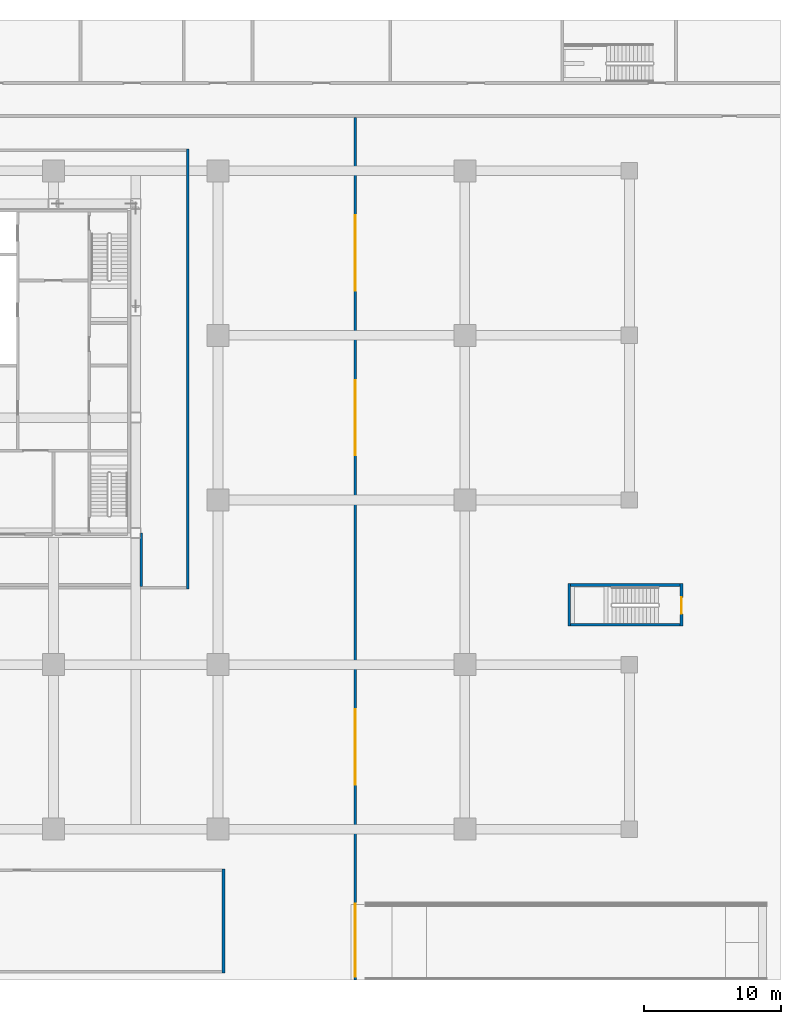
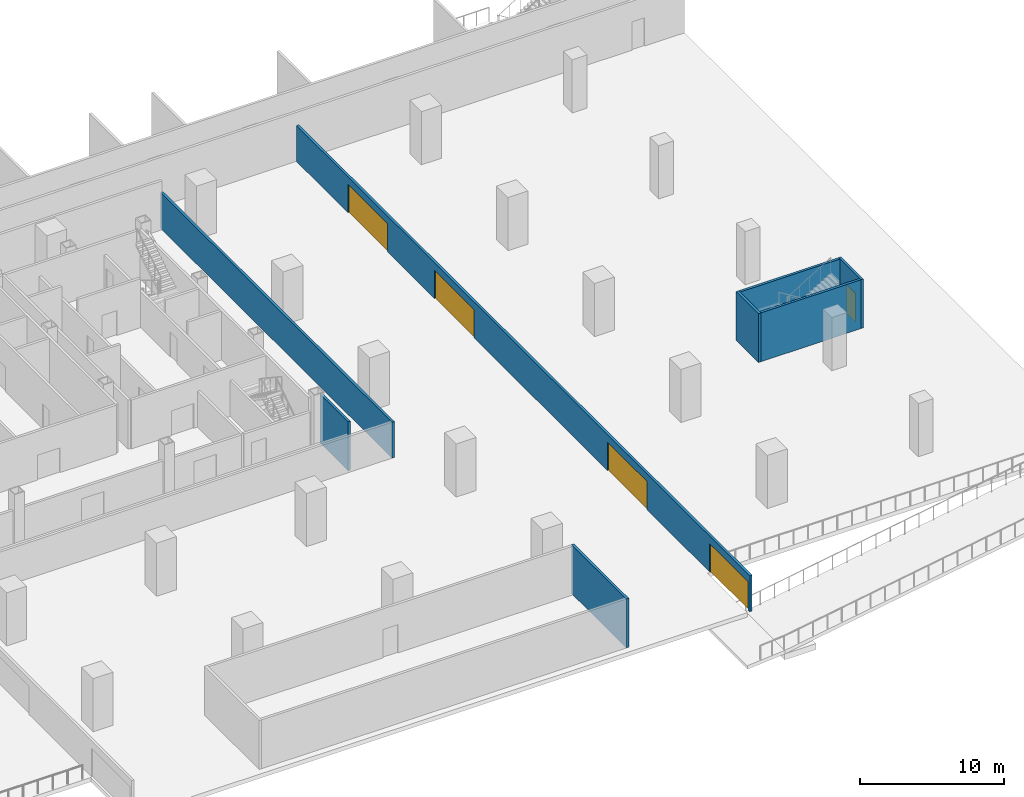
# One storey, part 7 of 15: 8 walls, 5 doors, 5 openings.
"""IFC4 building model written with IfcOpenShell, lengths in metres."""

import ifcopenshell
import ifcopenshell.guid

model = None  # the IFC model being written
_history = None  # IfcOwnerHistory: only IFC2X3 demands one
_inside = {}  # id of a spatial element -> (the spatial element, [elements in it])
_under = {}  # id of a project, library or spatial element -> (it, [spatial elements below it])
_declared = {}  # id of a project -> (the project, [libraries it declares])
_typed = {}  # id of a type object -> (the type object, [elements of that type])
_made_of = {}  # id of a material, layer set ... -> (it, [elements and type objects made of it])


def new_model(schema):
    """Start an empty IFC model of exactly this schema.

    Asked for "IFC4X3", IfcOpenShell would pick the latest addendum, in which some entities
    have other attributes; the version numbers below select the first issue.
    IFC2X3 requires an IfcOwnerHistory on every rooted entity: one is made here for all.
    """
    global model, _history
    if schema == "IFC4X3":
        model = ifcopenshell.file(schema_version=(4, 3, 0, 0))
    else:
        model = ifcopenshell.file(schema=schema)
    _inside.clear()
    _under.clear()
    _declared.clear()
    _typed.clear()
    _made_of.clear()
    _history = None
    if model.schema == "IFC2X3":
        org = make("IfcOrganization", Name="unknown")
        user = make(
            "IfcPersonAndOrganization",
            ThePerson=make("IfcPerson", FamilyName="unknown"),
            TheOrganization=org,
        )
        app = make(
            "IfcApplication",
            ApplicationDeveloper=org,
            Version="unknown",
            ApplicationFullName="unknown",
            ApplicationIdentifier="unknown",
        )
        _history = make(
            "IfcOwnerHistory",
            OwningUser=user,
            OwningApplication=app,
            ChangeAction="ADDED",
            CreationDate=0,
        )
    return model


def make(cls, **values):
    """One entity of the class cls with the attributes given. An attribute that is None is left unset."""
    return model.create_entity(
        cls, **{name: value for name, value in values.items() if value is not None}
    )


def rooted(cls, **values):
    """An entity with a GlobalId (a new one), such as an element, a storey or a relation."""
    return make(cls, GlobalId=ifcopenshell.guid.new(), OwnerHistory=_history, **values)


def si_unit(unit_type, name, prefix=None):
    """IfcSIUnit, for example si_unit("LENGTHUNIT", "METRE", prefix="MILLI")."""
    return make("IfcSIUnit", UnitType=unit_type, Prefix=prefix, Name=name)


def assignment(units):
    """IfcUnitAssignment: the units of a project."""
    return None if units is None else make("IfcUnitAssignment", Units=units)


def point(xyz):
    """IfcCartesianPoint."""
    return None if xyz is None else make("IfcCartesianPoint", Coordinates=xyz)


def direction(xyz):
    """IfcDirection."""
    return None if xyz is None else make("IfcDirection", DirectionRatios=xyz)


def frame(location, z_axis=None, x_axis=None):
    """IfcAxis2Placement3D, a coordinate frame: its origin and axes. An axis left out is left unset."""
    return make(
        "IfcAxis2Placement3D",
        Location=point(location),
        Axis=direction(z_axis),
        RefDirection=direction(x_axis),
    )


def frame_2d(location, x_axis=None):
    """IfcAxis2Placement2D, a coordinate frame in the plane: its origin and x axis."""
    return make(
        "IfcAxis2Placement2D", Location=point(location), RefDirection=direction(x_axis)
    )


def origin():
    """The frame at (0, 0, 0) with its axes left unset."""
    return frame((0.0, 0.0, 0.0))


def place(relative_to, where):
    """IfcLocalPlacement: puts the frame where relative to a parent placement (None: the world)."""
    return make(
        "IfcLocalPlacement", PlacementRelTo=relative_to, RelativePlacement=where
    )


def context(
    kind, dimensions, precision=None, world=None, true_north=None, identifier=None
):
    """IfcGeometricRepresentationContext, for example the 3D "Model" context."""
    return make(
        "IfcGeometricRepresentationContext",
        ContextIdentifier=identifier,
        ContextType=kind,
        CoordinateSpaceDimension=dimensions,
        Precision=precision,
        WorldCoordinateSystem=world,
        TrueNorth=true_north,
    )


def subcontext(parent, identifier, kind, view, scale=None):
    """IfcGeometricRepresentationSubContext, for example "Body" below "Model"."""
    return make(
        "IfcGeometricRepresentationSubContext",
        ContextIdentifier=identifier,
        ContextType=kind,
        ParentContext=parent,
        TargetScale=scale,
        TargetView=view,
    )


def project(units=None, contexts=None):
    """IfcProject with its units and contexts."""
    return rooted(
        "IfcProject",
        Name="project",
        RepresentationContexts=contexts,
        UnitsInContext=assignment(units),
    )


def spatial(cls, under=None, at=None, **own):
    """A site, building, storey or space (cls), placed at a placement, below another one or the project."""
    s = rooted(cls, ObjectPlacement=at, **own)
    if under is not None:
        _under.setdefault(under.id(), (under, []))[1].append(s)
    return s


def profile(cls, at=None, kind="AREA", **sizes):
    """A parametric profile (cls). Its sizes go by their IFC names, for example OverallWidth=200.0."""
    return make(cls, ProfileType=kind, Position=at, **sizes)


def rectangle(**sizes):
    """IfcRectangleProfileDef."""
    return profile("IfcRectangleProfileDef", **sizes)


def extrude(swept, where, along, depth):
    """IfcExtrudedAreaSolid: the profile swept, set in the frame where, extruded along a direction by depth."""
    return make(
        "IfcExtrudedAreaSolid",
        SweptArea=swept,
        Position=where,
        ExtrudedDirection=direction(along),
        Depth=depth,
    )


def shape(context_of_items, identifier, shape_type, items):
    """IfcShapeRepresentation: the items that make up one representation, for example the "Body"."""
    return make(
        "IfcShapeRepresentation",
        ContextOfItems=context_of_items,
        RepresentationIdentifier=identifier,
        RepresentationType=shape_type,
        Items=items,
    )


def material(Name=None, Category=None):
    """IfcMaterial."""
    return make("IfcMaterial", Name=Name, Category=Category)


def layer(
    of_material, thickness, ventilated=None, Name=None, Category=None, Priority=None
):
    """IfcMaterialLayer: one layer of a wall or slab, of a material (None: an air gap)."""
    return make(
        "IfcMaterialLayer",
        Material=of_material,
        LayerThickness=thickness,
        IsVentilated=ventilated,
        Name=Name,
        Category=Category,
        Priority=Priority,
    )


def layer_set(layers, Name=None):
    """IfcMaterialLayerSet."""
    return make("IfcMaterialLayerSet", MaterialLayers=layers, LayerSetName=Name)


def made_of(thing, what):
    """Note that an element or type object is made of a material, layer set ...; save() writes the relation."""
    if what is not None:
        _made_of.setdefault(what.id(), (what, []))[1].append(thing)
    return thing


def type_object(cls, material=None, **own):
    """A type object (cls), such as IfcWallType, which elements share."""
    return made_of(rooted(cls, **own), material)


def element(
    cls,
    number,
    at=None,
    inside=None,
    cuts=None,
    type_object=None,
    material=None,
    context=None,
    identifier="Body",
    shape_type=None,
    held_by="IfcProductDefinitionShape",
    body=None,
    shapes=None,
    **own,
):
    """One element of the class cls, such as IfcWall. Its Tag is "e" and its number.

    at: its placement. inside: the storey or other place that contains it. cuts: it is an
    opening in that element (IfcRelVoidsElement). A single representation is given by context,
    identifier, shape_type and body (its items); several are given by shapes. held_by: the class
    of the entity that holds the representations. save() writes the other relations.
    """
    e = rooted(cls, Tag="e%d" % number, ObjectPlacement=at, **own)
    if body is not None:
        shapes = [shape(context, identifier, shape_type, body)]
    if shapes is not None:
        e.Representation = make(held_by, Representations=shapes)
    if inside is not None:
        _inside.setdefault(inside.id(), (inside, []))[1].append(e)
    if cuts is not None:
        rooted(
            "IfcRelVoidsElement", RelatingBuildingElement=cuts, RelatedOpeningElement=e
        )
    if type_object is not None:
        _typed.setdefault(type_object.id(), (type_object, []))[1].append(e)
    return made_of(e, material)


def fill(opening, filler):
    """IfcRelFillsElement: the door or window that sits in an opening."""
    return rooted(
        "IfcRelFillsElement",
        RelatingOpeningElement=opening,
        RelatedBuildingElement=filler,
    )


def aggregate(whole, parts):
    """IfcRelAggregates: a whole, such as a stair, and the parts it consists of."""
    return rooted("IfcRelAggregates", RelatingObject=whole, RelatedObjects=parts)


def save(model, path):
    """Write the relations noted so far, then the file.

    IfcRelAggregates (storeys below a building ...), IfcRelContainedInSpatialStructure (elements
    in a storey), IfcRelDefinesByType, IfcRelAssociatesMaterial and IfcRelDeclares: one each for
    every whole, place, type object, material and project.
    """
    for whole, parts in _under.values():
        aggregate(whole, parts)
    for where, things in _inside.values():
        rooted(
            "IfcRelContainedInSpatialStructure",
            RelatedElements=things,
            RelatingStructure=where,
        )
    for kind, things in _typed.values():
        rooted("IfcRelDefinesByType", RelatedObjects=things, RelatingType=kind)
    for what, things in _made_of.values():
        rooted("IfcRelAssociatesMaterial", RelatedObjects=things, RelatingMaterial=what)
    for by, libraries in _declared.values():
        rooted("IfcRelDeclares", RelatingContext=by, RelatedDefinitions=libraries)
    model.write(path)


model = new_model("IFC4")

# Units and contexts
model_context = context("Model", 3, precision=1e-05, world=origin(), true_north=direction((0.0, 1.0)))
body_context = subcontext(model_context, "Body", "Model", "MODEL_VIEW")
ifc_project = project(units=[si_unit("LENGTHUNIT", "METRE"), si_unit("AREAUNIT", "SQUARE_METRE"), si_unit("VOLUMEUNIT", "CUBIC_METRE"), si_unit("PLANEANGLEUNIT", "RADIAN"), si_unit("MASSUNIT", "GRAM", prefix="KILO")], contexts=[model_context])

# Site, building, storey
site_placement = place(None, origin())
site = spatial("IfcSite", under=ifc_project, at=site_placement, CompositionType="ELEMENT")
building_placement = place(site_placement, origin())
building = spatial("IfcBuilding", under=site, at=building_placement, Name="Sorahane Residences", CompositionType="ELEMENT")
storey_placement = place(building_placement, frame((0.0, 0.0, -4.5)))
storey = spatial("IfcBuildingStorey", under=building, at=storey_placement, Name="B1", CompositionType="ELEMENT", Elevation=-4.5)

# Walls
ifc_material_1 = material(Name="Concrete blockwork C20 wall", Category="masonry")
ifc_layer_1 = layer(ifc_material_1, 0.199951171875)
ifc_layer_set_1 = layer_set([ifc_layer_1], Name="Corridor wall 200 EI 120")
wall_type_1 = type_object("IfcWallType", Name="Corridor wall 200 EI 120", PredefinedType="SOLIDWALL", material=ifc_layer_set_1)
wall_1_placement = place(storey_placement, frame((42.39990234375, 17.699951171875, 0.0), z_axis=(0.0, 0.0, 1.0), x_axis=(0.0, 1.0, 0.0)))
element("IfcWall", 1, at=wall_1_placement, inside=storey, type_object=wall_type_1, Name="B1 corridor wall", PredefinedType="SOLIDWALL", context=body_context, shape_type="SweptSolid", body=[
    extrude(rectangle(XDim=3.900146484375, YDim=0.199951171875, at=frame_2d((1.9501953125, 0.0))), origin(), (0.0, 0.0, 1.0), 4.139892578125),
])
ifc_material_2 = material(Name="Concrete blockwork C20 wall", Category="masonry")
ifc_layer_2 = layer(ifc_material_2, 0.199951171875)
ifc_layer_set_2 = layer_set([ifc_layer_2], Name="Fire wall 200 EI 120")
wall_type_2 = type_object("IfcWallType", Name="Fire wall 200 EI 120", PredefinedType="SOLIDWALL", material=ifc_layer_set_2)
wall_2_placement = place(storey_placement, frame((45.800048828125, 17.5, 0.0), z_axis=(0.0, 0.0, 1.0), x_axis=(0.0, 1.0, 0.0)))
element("IfcWall", 2, at=wall_2_placement, inside=storey, type_object=wall_type_2, Name="B1 fire wall", PredefinedType="SOLIDWALL", context=body_context, shape_type="SweptSolid", body=[
    extrude(rectangle(XDim=32.10009765625, YDim=0.199951171875, at=frame_2d((16.050048828125, 0.0))), origin(), (0.0, 0.0, 1.0), 3.0400390625),
])

# Wall, openings, doors
wall_3_placement = place(storey_placement, frame((58.0, -11.0, 0.0), z_axis=(0.0, 0.0, 1.0), x_axis=(0.0, 1.0, 0.0)))
wall_3 = element("IfcWall", 3, at=wall_3_placement, inside=storey, type_object=wall_type_2, Name="B1 fire wall", PredefinedType="SOLIDWALL", context=body_context, shape_type="SweptSolid", body=[
    extrude(rectangle(XDim=62.89990234375, YDim=0.199951171875, at=frame_2d((31.449951171875, 0.0))), origin(), (0.0, 0.0, 1.0), 3.0400390625),
])
opening_1_placement = place(wall_3_placement, frame((0.25, 0.0, 0.0)))
opening_1 = element("IfcOpeningElement", 4, at=opening_1_placement, cuts=wall_3, Name="Opening B1-19", PredefinedType="OPENING", context=body_context, shape_type="SweptSolid", body=[
    extrude(rectangle(XDim=5.300048828125, YDim=2.39990234375, at=frame_2d((2.64990234375, 1.199951171875))), frame((0.0, 0.10986328125, 0.0), z_axis=(0.0, -1.0, 0.0), x_axis=(1.0, 0.0, 0.0)), (0.0, 0.0, 1.0), 0.219970703125),
])
opening_2_placement = place(wall_3_placement, frame((14.25, 0.0, 0.0)))
opening_2 = element("IfcOpeningElement", 5, at=opening_2_placement, cuts=wall_3, Name="Opening B1-20", PredefinedType="OPENING", context=body_context, shape_type="SweptSolid", body=[
    extrude(rectangle(XDim=5.5, YDim=2.39990234375, at=frame_2d((2.75, 1.199951171875))), frame((0.0, 0.10986328125, 0.0), z_axis=(0.0, -1.0, 0.0), x_axis=(1.0, 0.0, 0.0)), (0.0, 0.0, 1.0), 0.219970703125),
])
opening_3_placement = place(wall_3_placement, frame((38.25, 0.0, 0.0)))
opening_3 = element("IfcOpeningElement", 6, at=opening_3_placement, cuts=wall_3, Name="Opening B1-21", PredefinedType="OPENING", context=body_context, shape_type="SweptSolid", body=[
    extrude(rectangle(XDim=5.5, YDim=2.39990234375, at=frame_2d((2.75, 1.199951171875))), frame((0.0, 0.10986328125, 0.0), z_axis=(0.0, -1.0, 0.0), x_axis=(1.0, 0.0, 0.0)), (0.0, 0.0, 1.0), 0.219970703125),
])
opening_4_placement = place(wall_3_placement, frame((50.25, 0.0, 0.0)))
opening_4 = element("IfcOpeningElement", 7, at=opening_4_placement, cuts=wall_3, Name="Opening B1-22", PredefinedType="OPENING", context=body_context, shape_type="SweptSolid", body=[
    extrude(rectangle(XDim=5.5, YDim=2.39990234375, at=frame_2d((2.75, 1.199951171875))), frame((0.0, 0.10986328125, 0.0), z_axis=(0.0, -1.0, 0.0), x_axis=(1.0, 0.0, 0.0)), (0.0, 0.0, 1.0), 0.219970703125),
])
ifc_material_3 = material(Name="Steel", Category="steel")
door_type_1 = type_object("IfcDoorType", Name="Fire door 5300x2400 FD60", OperationType="NOTDEFINED", PredefinedType="DOOR", material=ifc_material_3)
door_1_placement = place(opening_1_placement, frame((5.300048828125, 0.0, 0.0), z_axis=(0.0, 0.0, 1.0), x_axis=(-1.0, 0.0, 0.0)))
door_1 = element("IfcDoor", 8, at=door_1_placement, inside=storey, type_object=door_type_1, Name="Fire door B1-19", OperationType="SINGLE_SWING_RIGHT", OverallHeight=2.39990234375, OverallWidth=5.300048828125, PredefinedType="DOOR", context=body_context, shape_type="SweptSolid", body=[
    extrude(rectangle(XDim=5.300048828125, YDim=2.39990234375, at=frame_2d((2.64990234375, 1.199951171875))), frame((0.0, 0.02490234375, 0.0), z_axis=(0.0, -1.0, 0.0), x_axis=(1.0, 0.0, 0.0)), (0.0, 0.0, 1.0), 0.050048828125),
])
fill(opening_1, door_1)
ifc_material_4 = material(Name="Steel", Category="steel")
door_type_2 = type_object("IfcDoorType", Name="Fire door 5500x2400 FD60", OperationType="NOTDEFINED", PredefinedType="DOOR", material=ifc_material_4)
door_2_placement = place(opening_2_placement, frame((5.5, 0.0, 0.0), z_axis=(0.0, 0.0, 1.0), x_axis=(-1.0, 0.0, 0.0)))
door_2 = element("IfcDoor", 9, at=door_2_placement, inside=storey, type_object=door_type_2, Name="Fire door B1-20", OperationType="SINGLE_SWING_LEFT", OverallHeight=2.39990234375, OverallWidth=5.5, PredefinedType="DOOR", context=body_context, shape_type="SweptSolid", body=[
    extrude(rectangle(XDim=5.5, YDim=2.39990234375, at=frame_2d((2.75, 1.199951171875))), frame((0.0, 0.02490234375, 0.0), z_axis=(0.0, -1.0, 0.0), x_axis=(1.0, 0.0, 0.0)), (0.0, 0.0, 1.0), 0.050048828125),
])
fill(opening_2, door_2)
door_3_placement = place(opening_3_placement, origin())
door_3 = element("IfcDoor", 10, at=door_3_placement, inside=storey, type_object=door_type_2, Name="Fire door B1-21", OperationType="SINGLE_SWING_LEFT", OverallHeight=2.39990234375, OverallWidth=5.5, PredefinedType="DOOR", context=body_context, shape_type="SweptSolid", body=[
    extrude(rectangle(XDim=5.5, YDim=2.39990234375, at=frame_2d((2.75, 1.199951171875))), frame((0.0, 0.02490234375, 0.0), z_axis=(0.0, -1.0, 0.0), x_axis=(1.0, 0.0, 0.0)), (0.0, 0.0, 1.0), 0.050048828125),
])
fill(opening_3, door_3)
door_4_placement = place(opening_4_placement, origin())
door_4 = element("IfcDoor", 11, at=door_4_placement, inside=storey, type_object=door_type_2, Name="Fire door B1-22", OperationType="SINGLE_SWING_RIGHT", OverallHeight=2.39990234375, OverallWidth=5.5, PredefinedType="DOOR", context=body_context, shape_type="SweptSolid", body=[
    extrude(rectangle(XDim=5.5, YDim=2.39990234375, at=frame_2d((2.75, 1.199951171875))), frame((0.0, 0.02490234375, 0.0), z_axis=(0.0, -1.0, 0.0), x_axis=(1.0, 0.0, 0.0)), (0.0, 0.0, 1.0), 0.050048828125),
])
fill(opening_4, door_4)

# Wall
wall_4_placement = place(storey_placement, frame((73.60009765625, 14.800048828125, 0.0), z_axis=(0.0, 0.0, 1.0), x_axis=(0.0, 1.0, 0.0)))
element("IfcWall", 12, at=wall_4_placement, inside=storey, type_object=wall_type_2, Name="B1 fire wall", PredefinedType="SOLIDWALL", context=body_context, shape_type="SweptSolid", body=[
    extrude(rectangle(XDim=3.099853515625, YDim=0.199951171875, at=frame_2d((1.5498046875, 0.0))), origin(), (0.0, 0.0, 1.0), 4.139892578125),
])

# Wall, opening, door
wall_5_placement = place(storey_placement, frame((81.800048828125, 14.800048828125, 0.0), z_axis=(0.0, 0.0, 1.0), x_axis=(0.0, 1.0, 0.0)))
wall_5 = element("IfcWall", 13, at=wall_5_placement, inside=storey, type_object=wall_type_2, Name="B1 fire wall", PredefinedType="SOLIDWALL", context=body_context, shape_type="SweptSolid", body=[
    extrude(rectangle(XDim=3.099853515625, YDim=0.199951171875, at=frame_2d((1.5498046875, 0.0))), origin(), (0.0, 0.0, 1.0), 4.139892578125),
])
opening_5_placement = place(wall_5_placement, frame((0.89990234375, 0.0, 0.0)))
opening_5 = element("IfcOpeningElement", 14, at=opening_5_placement, cuts=wall_5, Name="Opening B1-12", PredefinedType="OPENING", context=body_context, shape_type="SweptSolid", body=[
    extrude(rectangle(XDim=1.199951171875, YDim=2.39990234375, at=frame_2d((0.60009765625, 1.199951171875))), frame((0.0, 0.10986328125, 0.0), z_axis=(0.0, -1.0, 0.0), x_axis=(1.0, 0.0, 0.0)), (0.0, 0.0, 1.0), 0.219970703125),
])
ifc_material_5 = material(Name="Steel", Category="steel")
door_type_3 = type_object("IfcDoorType", Name="Stair door 1200x2400 FD60", OperationType="NOTDEFINED", PredefinedType="DOOR", material=ifc_material_5)
door_5_placement = place(opening_5_placement, frame((1.199951171875, 0.0, 0.0), z_axis=(0.0, 0.0, 1.0), x_axis=(-1.0, 0.0, 0.0)))
door_5 = element("IfcDoor", 15, at=door_5_placement, inside=storey, type_object=door_type_3, Name="Stair door B1-12", OperationType="SINGLE_SWING_LEFT", OverallHeight=2.39990234375, OverallWidth=1.199951171875, PredefinedType="DOOR", context=body_context, shape_type="SweptSolid", body=[
    extrude(rectangle(XDim=1.199951171875, YDim=2.39990234375, at=frame_2d((0.60009765625, 1.199951171875))), frame((0.0, 0.02490234375, 0.0), z_axis=(0.0, -1.0, 0.0), x_axis=(1.0, 0.0, 0.0)), (0.0, 0.0, 1.0), 0.050048828125),
])
fill(opening_5, door_5)

# Walls
ifc_material_6 = material(Name="Concrete blockwork C20 wall", Category="masonry")
ifc_layer_3 = layer(ifc_material_6, 0.199951171875)
ifc_layer_set_3 = layer_set([ifc_layer_3], Name="Plant wall 200 EI 120")
wall_type_3 = type_object("IfcWallType", Name="Plant wall 200 EI 120", PredefinedType="SOLIDWALL", material=ifc_layer_set_3)
wall_6_placement = place(storey_placement, frame((48.39990234375, -10.5, 0.0), z_axis=(0.0, 0.0, 1.0), x_axis=(0.0, 1.0, 0.0)))
element("IfcWall", 16, at=wall_6_placement, inside=storey, type_object=wall_type_3, Name="B1 plant wall", PredefinedType="SOLIDWALL", context=body_context, shape_type="SweptSolid", body=[
    extrude(rectangle(XDim=7.60009765625, YDim=0.199951171875, at=frame_2d((3.800048828125, 0.0))), origin(), (0.0, 0.0, 1.0), 4.139892578125),
])
ifc_material_7 = material(Name="Concrete C30", Category="concrete")
ifc_layer_4 = layer(ifc_material_7, 0.199951171875)
ifc_layer_set_4 = layer_set([ifc_layer_4], Name="Stair enclosure wall 200 EI 120")
wall_type_4 = type_object("IfcWallType", Name="Stair enclosure wall 200 EI 120", PredefinedType="SOLIDWALL", material=ifc_layer_set_4)
for number, where, z_axis, x_axis, name in (
    (17, (73.699951171875, 14.89990234375, 0.0), (0.0, 0.0, 1.0), (1.0, 0.0, 0.0), "B1 fire wall"),
    (18, (73.699951171875, 17.800048828125, 0.0), (0.0, 0.0, 1.0), (1.0, 0.0, 0.0), "B1 fire wall"),
):
    element("IfcWall", number, at=place(storey_placement, frame(where, z_axis=z_axis, x_axis=x_axis)), inside=storey, type_object=wall_type_4, Name=name, PredefinedType="SOLIDWALL", context=body_context, shape_type="SweptSolid", body=[
        extrude(rectangle(XDim=8.0, YDim=0.199951171875, at=frame_2d((4.0, 0.0))), origin(), (0.0, 0.0, 1.0), 4.139892578125),
    ])

save(model, "model.ifc")
